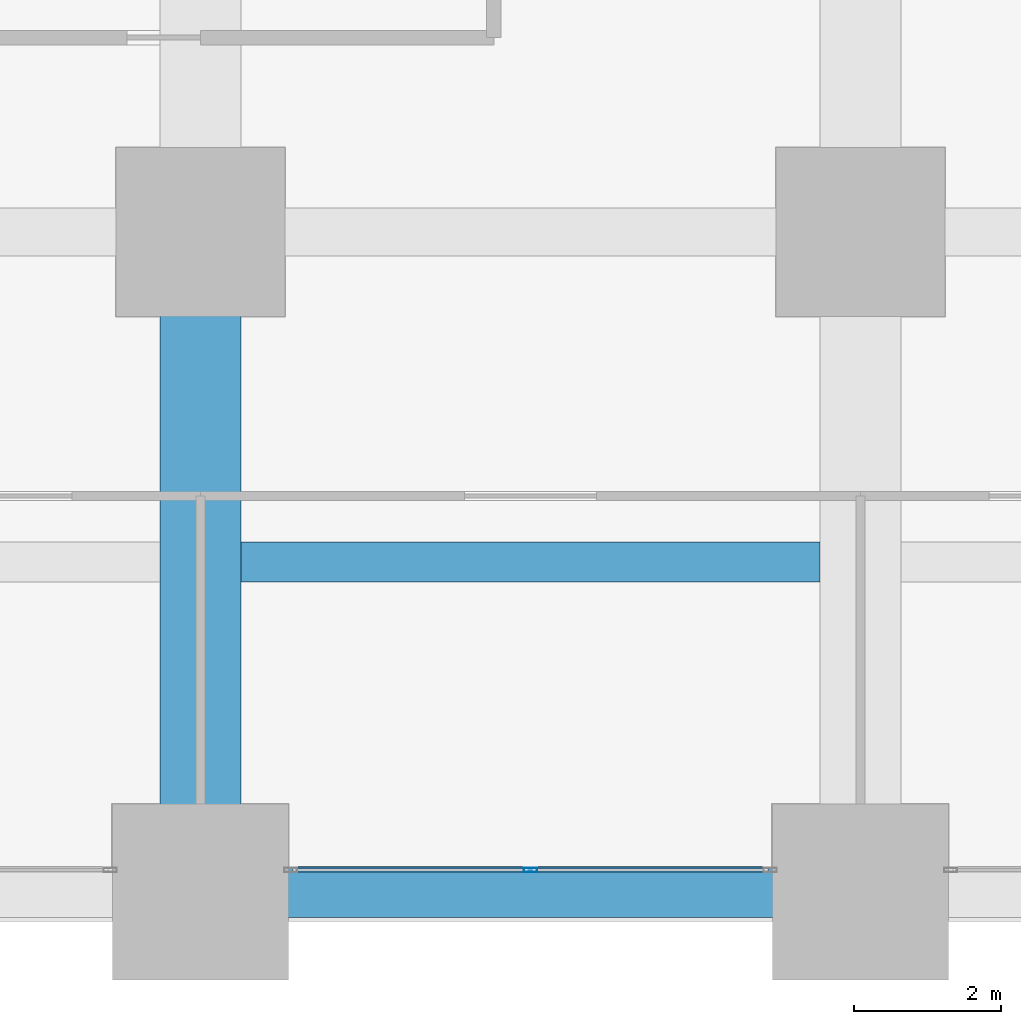
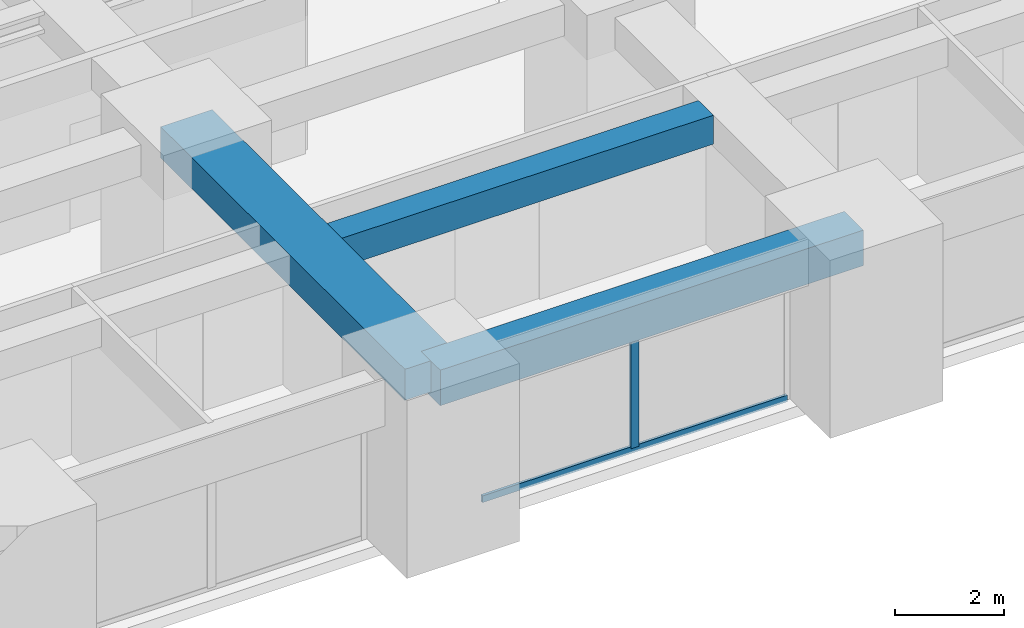
# One storey, part 7 of 45: 3 beams, 2 members, 1 element without a shape of its own.
"""IFC4 building model written with IfcOpenShell, lengths in metres."""

from ifc_helpers import new_model, si_unit, direction, frame, origin, origin_2d, place, context, subcontext, project, spatial, rectangle, hollow_rectangle, extrude, material, material_profile, profile_set, type_object, element, aggregate, save


model = new_model("IFC4")

# Units and contexts
model_context = context("Model", 3, precision=1e-05, world=origin(), true_north=direction((0.0, 1.0)))
body_context = subcontext(model_context, "Body", "Model", "MODEL_VIEW")
ifc_project = project(units=[si_unit("LENGTHUNIT", "METRE"), si_unit("AREAUNIT", "SQUARE_METRE"), si_unit("VOLUMEUNIT", "CUBIC_METRE"), si_unit("PLANEANGLEUNIT", "RADIAN"), si_unit("MASSUNIT", "GRAM", prefix="KILO")], contexts=[model_context])

# Site, building, storey
site_placement = place(None, origin())
site = spatial("IfcSite", under=ifc_project, at=site_placement, CompositionType="ELEMENT")
building_placement = place(site_placement, origin())
building = spatial("IfcBuilding", under=site, at=building_placement, Name="Zorevar Civic Tower", CompositionType="ELEMENT")
storey_placement = place(building_placement, frame((0.0, 0.0, 27.800048828125)))
storey = spatial("IfcBuildingStorey", under=building, at=storey_placement, Name="L06", CompositionType="ELEMENT", Elevation=27.800048828125)

# Beams
ifc_material_1 = material(Name="Concrete C50/60", Category="concrete")
ifc_material_profile_1 = material_profile(ifc_material_1, rectangle(XDim=1.10009765625, YDim=0.699951171875, at=origin_2d()), Name="RC 1100x700")
ifc_profile_set_1 = profile_set([ifc_material_profile_1], Name="Concrete C50/60")
beam_type_1 = type_object("IfcBeamType", Name="Beam RC 1100x700", PredefinedType="BEAM", material=ifc_profile_set_1)
beam_1_placement = place(storey_placement, frame((27.0, 0.0, 3.39990234375), z_axis=(0.0, 1.0, 0.0), x_axis=(-1.0, 0.0, 0.0)))
element("IfcBeam", 1, at=beam_1_placement, inside=storey, type_object=beam_type_1, Name="Girder L07", PredefinedType="BEAM", context=body_context, shape_type="SweptSolid", body=[
    extrude(rectangle(XDim=1.10009765625, YDim=0.699951171875, at=origin_2d()), origin(), (0.0, 0.0, 1.0), 9.0),
])
ifc_material_2 = material(Name="Concrete C50/60", Category="concrete")
ifc_material_profile_2 = material_profile(ifc_material_2, rectangle(XDim=0.550048828125, YDim=0.64990234375, at=origin_2d()), Name="RC 550x650")
ifc_profile_set_2 = profile_set([ifc_material_profile_2], Name="Concrete C50/60")
beam_type_2 = type_object("IfcBeamType", Name="Beam RC 550x650", PredefinedType="BEAM", material=ifc_profile_set_2)
beam_2_placement = place(storey_placement, frame((27.550048828125, 4.5, 3.425048828125), z_axis=(1.0, 0.0, 0.0), x_axis=(0.0, 1.0, 0.0)))
element("IfcBeam", 2, at=beam_2_placement, inside=storey, type_object=beam_type_2, Name="Secondary beam L07", PredefinedType="BEAM", context=body_context, shape_type="SweptSolid", body=[
    extrude(rectangle(XDim=0.550048828125, YDim=0.64990234375, at=origin_2d()), origin(), (0.0, 0.0, 1.0), 7.89990234375),
])

# Curtain wall, members
ifc_material_3 = material(Name="Dark grey solar-control glass in black aluminium frame", Category="aluminium")
curtain_wall_type = type_object("IfcCurtainWallType", Name="Curtain wall CW2 low zone", PredefinedType="NOTDEFINED", material=ifc_material_3)
curtain_wall_placement = place(storey_placement, origin())
curtain_wall = element("IfcCurtainWall", 3, at=curtain_wall_placement, inside=storey, type_object=curtain_wall_type, Name="CW2 L06", PredefinedType="NOTDEFINED")
ifc_material_4 = material(Name="Aluminium, black anodised", Category="aluminium")
ifc_material_profile_3 = material_profile(ifc_material_4, hollow_rectangle(XDim=0.06005859375, YDim=0.179931640625, WallThickness=0.00390625, at=origin_2d()), Name="AL 180x60x4")
ifc_profile_set_3 = profile_set([ifc_material_profile_3], Name="Aluminium, black anodised")
member_type_1 = type_object("IfcMemberType", Name="CW2 mullion AL 180x60x4", PredefinedType="MULLION", material=ifc_profile_set_3)
member_1_placement = place(storey_placement, frame((31.5, 0.300048828125, 0.06005859375), z_axis=(0.0, 0.0, 1.0), x_axis=(0.0, 1.0, 0.0)))
member_1 = element("IfcMember", 4, at=member_1_placement, type_object=member_type_1, Name="CW2 mullion 2", PredefinedType="MULLION", context=body_context, shape_type="SweptSolid", body=[
    extrude(hollow_rectangle(XDim=0.06005859375, YDim=0.179931640625, WallThickness=0.00390625, at=origin_2d()), origin(), (0.0, 0.0, 1.0), 2.889892578125),
])
ifc_material_5 = material(Name="Aluminium, black anodised", Category="aluminium")
ifc_material_profile_4 = material_profile(ifc_material_5, hollow_rectangle(XDim=0.06005859375, YDim=0.14990234375, WallThickness=0.00390625, at=origin_2d()), Name="AL 150x60x4")
ifc_profile_set_4 = profile_set([ifc_material_profile_4], Name="Aluminium, black anodised")
member_type_2 = type_object("IfcMemberType", Name="CW2 transom AL 150x60x4", PredefinedType="USERDEFINED", material=ifc_profile_set_4)
member_2_placement = place(storey_placement, frame((28.260009765625, 0.300048828125, 0.030029296875), z_axis=(1.0, 0.0, 0.0), x_axis=(0.0, 1.0, 0.0)))
member_2 = element("IfcMember", 5, at=member_2_placement, type_object=member_type_2, Name="CW2 sill transom", ObjectType="TRANSOM", PredefinedType="USERDEFINED", context=body_context, shape_type="SweptSolid", body=[
    extrude(hollow_rectangle(XDim=0.06005859375, YDim=0.14990234375, WallThickness=0.00390625, at=origin_2d()), origin(), (0.0, 0.0, 1.0), 6.47998046875),
])
aggregate(curtain_wall, [member_1, member_2])

# Beam
ifc_material_6 = material(Name="Concrete C50/60", Category="concrete")
ifc_material_profile_5 = material_profile(ifc_material_6, rectangle(XDim=0.699951171875, YDim=0.800048828125, at=origin_2d()), Name="RC 700x800")
ifc_profile_set_5 = profile_set([ifc_material_profile_5], Name="Concrete C50/60")
beam_type_3 = type_object("IfcBeamType", Name="Edge beam RC 700x800", PredefinedType="SPANDREL", material=ifc_profile_set_5)
beam_3_placement = place(storey_placement, frame((27.0, 0.0, 3.349853515625), z_axis=(1.0, 0.0, 0.0), x_axis=(0.0, 1.0, 0.0)))
element("IfcBeam", 6, at=beam_3_placement, inside=storey, type_object=beam_type_3, Name="Edge beam L07", PredefinedType="SPANDREL", context=body_context, shape_type="SweptSolid", body=[
    extrude(rectangle(XDim=0.699951171875, YDim=0.800048828125, at=origin_2d()), origin(), (0.0, 0.0, 1.0), 9.0),
])

save(model, "model.ifc")
